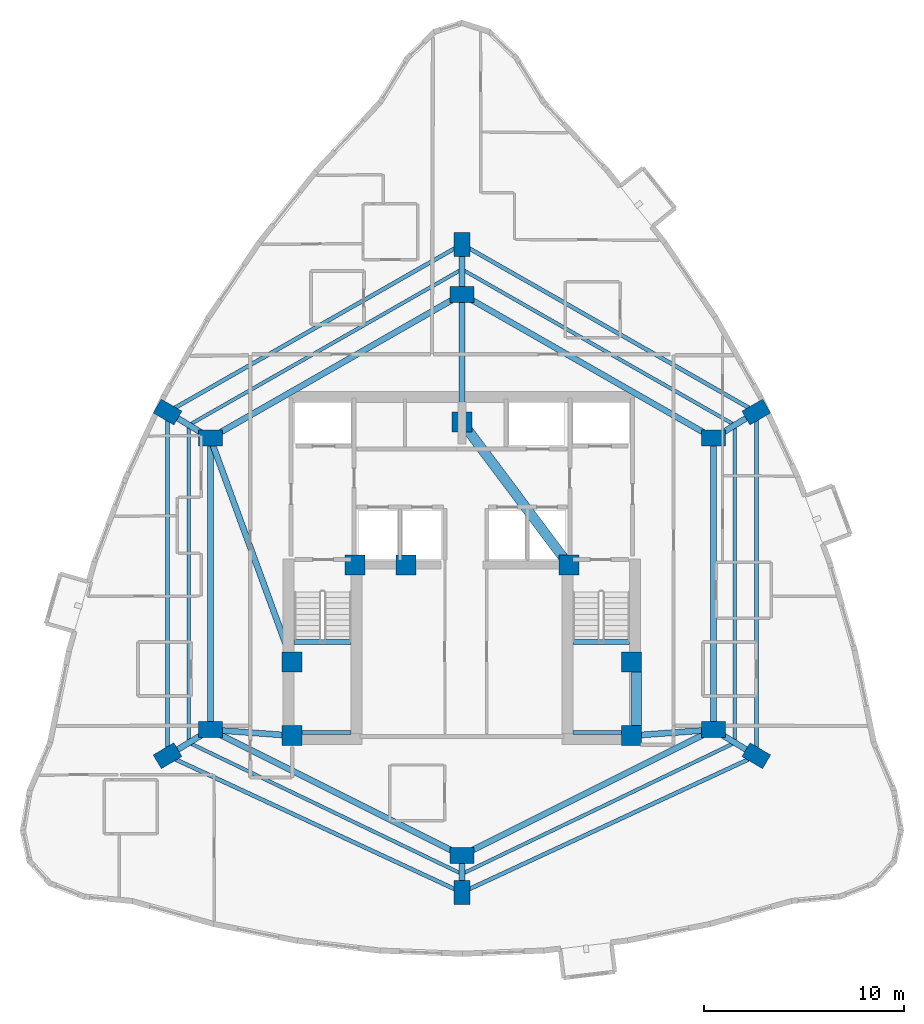
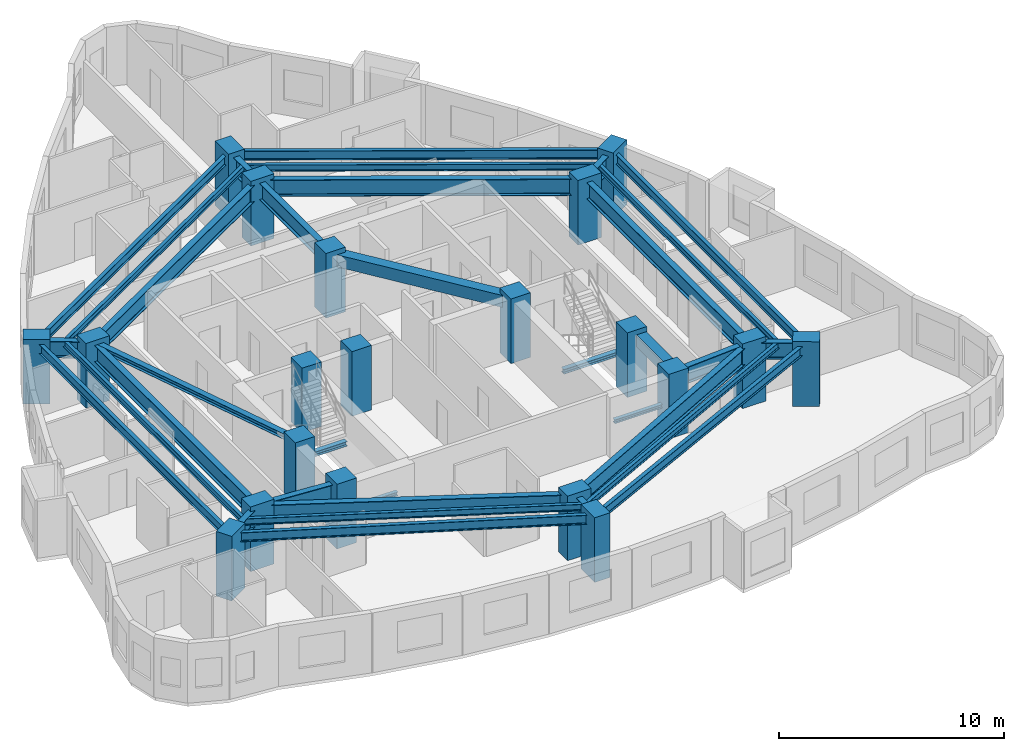
# One storey, part 1 of 14: 34 beams, 20 columns.
"""IFC4 building model written with IfcOpenShell, lengths in metres."""

from ifc_helpers import new_model, si_unit, direction, frame, origin, origin_2d, place, context, subcontext, project, spatial, rectangle, i_section, extrude, material, material_profile, profile_set, type_object, element, save


model = new_model("IFC4")

# Units and contexts
model_context = context("Model", 3, precision=1e-05, world=origin(), true_north=direction((0.0, 1.0)))
body_context = subcontext(model_context, "Body", "Model", "MODEL_VIEW")
ifc_project = project(units=[si_unit("LENGTHUNIT", "METRE"), si_unit("AREAUNIT", "SQUARE_METRE"), si_unit("VOLUMEUNIT", "CUBIC_METRE"), si_unit("PLANEANGLEUNIT", "RADIAN"), si_unit("MASSUNIT", "GRAM", prefix="KILO")], contexts=[model_context])

# Site, building, storey
site_placement = place(None, origin())
site = spatial("IfcSite", under=ifc_project, at=site_placement, CompositionType="ELEMENT")
building_placement = place(site_placement, origin())
building = spatial("IfcBuilding", under=site, at=building_placement, Name="Miruveldt Soraemaru", CompositionType="ELEMENT")
storey_placement = place(building_placement, frame((0.0, 0.0, 117.89990234375)))
storey = spatial("IfcBuildingStorey", under=building, at=storey_placement, Name="L32", CompositionType="ELEMENT", Elevation=117.89990234375)

# Columns
ifc_material_1 = material(Name="Concrete C60/75 (60 MPa)", Category="concrete")
ifc_material_profile_1 = material_profile(ifc_material_1, rectangle(XDim=1.0, YDim=1.0, at=origin_2d()), Name="Concrete C60/75 (60 MPa)", Category="concrete")
ifc_profile_set_1 = profile_set([ifc_material_profile_1], Name="Concrete C60/75 (60 MPa)")
column_type_1 = type_object("IfcColumnType", Name="COL-CORE-1000", PredefinedType="COLUMN", material=ifc_profile_set_1)
for number, where, z_axis, x_axis, name in (
    (1, (35.5, 35.5, 0.0), (0.0, 0.0, 1.0), (1.0, 0.0, 0.0), "L32 Structural Column CC1"),
    (2, (38.64990234375, 44.050048828125, 0.0), (0.0, 0.0, 1.0), (1.0, 0.0, 0.0), "L32 Structural Column CC2"),
    (3, (52.5, 35.5, 0.0), (0.0, 0.0, 1.0), (1.0, 0.0, 0.0), "L32 Structural Column CC3"),
    (4, (52.5, 39.199951171875, 0.0), (0.0, 0.0, 1.0), (1.0, 0.0, 0.0), "L32 Structural Column CC4"),
    (5, (49.35009765625, 44.050048828125, 0.0), (0.0, 0.0, 1.0), (1.0, 0.0, 0.0), "L32 Structural Column CC5"),
    (6, (44.0, 51.199951171875, 0.0), (0.0, 0.0, 1.0), (1.0, 0.0, 0.0), "L32 Structural Column CC6"),
    (7, (35.5, 39.199951171875, 0.0), (0.0, 0.0, 1.0), (1.0, 0.0, 0.0), "L32 Structural Column CC7"),
    (8, (41.199951171875, 44.050048828125, 0.0), (0.0, 0.0, 1.0), (1.0, 0.0, 0.0), "L32 Structural Column CC8"),
):
    element("IfcColumn", number, at=place(storey_placement, frame(where, z_axis=z_axis, x_axis=x_axis)), inside=storey, type_object=column_type_1, Name=name, PredefinedType="COLUMN", context=body_context, shape_type="SweptSolid", body=[
        extrude(rectangle(XDim=1.0, YDim=1.0, at=origin_2d()), origin(), (0.0, 0.0, 1.0), 3.5),
    ])
ifc_material_2 = material(Name="Concrete C70/85 (70 MPa)", Category="concrete")
ifc_material_profile_2 = material_profile(ifc_material_2, rectangle(XDim=1.199951171875, YDim=0.800048828125, at=origin_2d()), Name="Concrete C70/85 (70 MPa)", Category="concrete")
ifc_profile_set_2 = profile_set([ifc_material_profile_2], Name="Concrete C70/85 (70 MPa)")
column_type_2 = type_object("IfcColumnType", Name="COL-TW-Z2", PredefinedType="COLUMN", material=ifc_profile_set_2)
for number, where, z_axis, x_axis, name in (
    (9, (44.0, 57.60009765625, 0.0), (0.0, 0.0, 1.0), (1.0, 0.0, 0.0), "L32 Structural Column IR01"),
    (10, (56.60009765625, 50.39990234375, 0.0), (0.0, 0.0, 1.0), (1.0, 0.0, 0.0), "L32 Structural Column IR02"),
    (11, (56.60009765625, 35.800048828125, 0.0), (0.0, 0.0, 1.0), (1.0, 0.0, 0.0), "L32 Structural Column IR03"),
    (12, (44.0, 29.5, 0.0), (0.0, 0.0, 1.0), (1.0, 0.0, 0.0), "L32 Structural Column IR04"),
    (13, (31.39990234375, 35.800048828125, 0.0), (0.0, 0.0, 1.0), (1.0, 0.0, 0.0), "L32 Structural Column IR05"),
    (14, (31.39990234375, 50.39990234375, 0.0), (0.0, 0.0, 1.0), (1.0, 0.0, 0.0), "L32 Structural Column IR06"),
    (15, (44.0, 60.10595703125, 0.0), (0.0, 0.0, 1.0), (0.0, 1.0, 0.0), "L32 Structural Column Z2P01"),
    (16, (58.739990234375, 51.705078125, 0.0), (0.0, 0.0, 1.0), (0.866025403784, 0.5, 0.0), "L32 Structural Column Z2P02"),
    (17, (58.739990234375, 34.4951171875, 0.0), (0.0, 0.0, 1.0), (-0.860742027004, 0.50904141575, 0.0), "L32 Structural Column Z2P03"),
    (18, (44.0, 27.64697265625, 0.0), (0.0, 0.0, 1.0), (0.0, 1.0, 0.0), "L32 Structural Column Z2P04"),
    (19, (29.260009765625, 34.4951171875, 0.0), (0.0, 0.0, 1.0), (0.860742027004, 0.50904141575, 0.0), "L32 Structural Column Z2P05"),
    (20, (29.260009765625, 51.705078125, 0.0), (0.0, 0.0, 1.0), (-0.866025403784, 0.5, 0.0), "L32 Structural Column Z2P06"),
):
    element("IfcColumn", number, at=place(storey_placement, frame(where, z_axis=z_axis, x_axis=x_axis)), inside=storey, type_object=column_type_2, Name=name, PredefinedType="COLUMN", context=body_context, shape_type="SweptSolid", body=[
        extrude(rectangle(XDim=1.199951171875, YDim=0.800048828125, at=origin_2d()), origin(), (0.0, 0.0, 1.0), 3.5),
    ])

# Beams
ifc_material_3 = material(Name="Steel SM355 (355 MPa)", Category="steel")
ifc_material_profile_3 = material_profile(ifc_material_3, i_section(OverallWidth=0.300048828125, OverallDepth=0.300048828125, WebThickness=0.010009765625, FlangeThickness=0.014892578125, FilletRadius=0.01806640625, at=origin_2d()), Name="Steel SM355 (355 MPa)", Category="steel")
ifc_profile_set_3 = profile_set([ifc_material_profile_3], Name="Steel SM355 (355 MPa)")
beam_type_1 = type_object("IfcBeamType", Name="BM-LNT-H300", PredefinedType="LINTEL", material=ifc_profile_set_3)
beam_1_placement = place(storey_placement, frame((31.39990234375, 50.39990234375, 3.085205078125), z_axis=(0.343770424598, -0.939053723262, 0.0), x_axis=(0.939053723262, 0.343770424598, 0.0)))
element("IfcBeam", 21, at=beam_1_placement, inside=storey, type_object=beam_type_1, Name="L32 West Lobby Lintel", PredefinedType="LINTEL", context=body_context, shape_type="SweptSolid", body=[
    extrude(i_section(OverallWidth=0.300048828125, OverallDepth=0.300048828125, WebThickness=0.010009765625, FlangeThickness=0.014892578125, FilletRadius=0.01806640625, at=origin_2d()), origin(), (0.0, 0.0, 1.0), 11.9267578125),
])
ifc_material_4 = material(Name="Concrete C50/60 (50 MPa)", Category="concrete")
ifc_material_profile_4 = material_profile(ifc_material_4, rectangle(XDim=0.5, YDim=0.64990234375, at=origin_2d()), Name="Concrete C50/60 (50 MPa)", Category="concrete")
ifc_profile_set_4 = profile_set([ifc_material_profile_4], Name="Concrete C50/60 (50 MPa)")
beam_type_2 = type_object("IfcBeamType", Name="BM-RC-500x650", PredefinedType="BEAM", material=ifc_profile_set_4)
beam_2_placement = place(storey_placement, frame((52.72998046875, 35.5, 2.91015625), z_axis=(0.0, 1.0, 0.0), x_axis=(-1.0, 0.0, 0.0)))
element("IfcBeam", 22, at=beam_2_placement, inside=storey, type_object=beam_type_2, Name="L32 Core Tie Beam 3", PredefinedType="BEAM", context=body_context, shape_type="SweptSolid", body=[
    extrude(rectangle(XDim=0.5, YDim=0.64990234375, at=origin_2d()), origin(), (0.0, 0.0, 1.0), 3.699951171875),
])
beam_3_placement = place(storey_placement, frame((49.35009765625, 44.050048828125, 2.91015625), z_axis=(-0.599116023999, 0.800662219533, 0.0), x_axis=(-0.800662219533, -0.599116023999, 0.0)))
element("IfcBeam", 23, at=beam_3_placement, inside=storey, type_object=beam_type_2, Name="L32 Core Tie Beam 5", PredefinedType="BEAM", context=body_context, shape_type="SweptSolid", body=[
    extrude(rectangle(XDim=0.5, YDim=0.64990234375, at=origin_2d()), origin(), (0.0, 0.0, 1.0), 8.929931640625),
])
ifc_material_profile_5 = material_profile(ifc_material_3, i_section(OverallWidth=0.175048828125, OverallDepth=0.35009765625, WebThickness=0.007080078125, FlangeThickness=0.010986328125, FilletRadius=0.013916015625, at=origin_2d()), Name="Steel SM355 (355 MPa)", Category="steel")
ifc_profile_set_5 = profile_set([ifc_material_profile_5], Name="Steel SM355 (355 MPa)")
beam_type_3 = type_object("IfcBeamType", Name="BM-ST-H350", PredefinedType="JOIST", material=ifc_profile_set_5)
beam_4_placement = place(storey_placement, frame((44.0, 58.85302734375, 3.06005859375), z_axis=(0.868539859756, -0.495619321672, 0.0), x_axis=(0.495619321672, 0.868539859756, 0.0)))
element("IfcBeam", 24, at=beam_4_placement, inside=storey, type_object=beam_type_3, Name="L32 Outer Bay Floor Joist 1", PredefinedType="JOIST", context=body_context, shape_type="SweptSolid", body=[
    extrude(i_section(OverallWidth=0.175048828125, OverallDepth=0.35009765625, WebThickness=0.007080078125, FlangeThickness=0.010986328125, FilletRadius=0.013916015625, at=origin_2d()), origin(), (0.0, 0.0, 1.0), 15.739013671875),
])
beam_5_placement = place(storey_placement, frame((57.669921875, 51.052490234375, 3.06005859375), z_axis=(0.0, -1.0, 0.0), x_axis=(1.0, 0.0, 0.0)))
element("IfcBeam", 25, at=beam_5_placement, inside=storey, type_object=beam_type_3, Name="L32 Outer Bay Floor Joist 2", PredefinedType="JOIST", context=body_context, shape_type="SweptSolid", body=[
    extrude(i_section(OverallWidth=0.175048828125, OverallDepth=0.35009765625, WebThickness=0.007080078125, FlangeThickness=0.010986328125, FilletRadius=0.013916015625, at=origin_2d()), origin(), (0.0, 0.0, 1.0), 15.905029296875),
])
for number, where, z_axis, x_axis, name in (
    (26, (57.669921875, 35.1474609375, 3.06005859375), (-0.901203586802, -0.433396002676, 0.0), (0.433396002676, -0.901203586802, 0.0), "L32 Outer Bay Floor Joist 3"),
    (27, (44.0, 28.573486328125, 3.06005859375), (-0.901203586802, 0.433396002676, 0.0), (-0.433396002676, -0.901203586802, 0.0), "L32 Outer Bay Floor Joist 4"),
):
    element("IfcBeam", number, at=place(storey_placement, frame(where, z_axis=z_axis, x_axis=x_axis)), inside=storey, type_object=beam_type_3, Name=name, PredefinedType="JOIST", context=body_context, shape_type="SweptSolid", body=[
        extrude(i_section(OverallWidth=0.175048828125, OverallDepth=0.35009765625, WebThickness=0.007080078125, FlangeThickness=0.010986328125, FilletRadius=0.013916015625, at=origin_2d()), origin(), (0.0, 0.0, 1.0), 15.16845703125),
    ])
beam_6_placement = place(storey_placement, frame((30.330078125, 35.1474609375, 3.06005859375), z_axis=(0.0, 1.0, 0.0), x_axis=(-1.0, 0.0, 0.0)))
element("IfcBeam", 28, at=beam_6_placement, inside=storey, type_object=beam_type_3, Name="L32 Outer Bay Floor Joist 5", PredefinedType="JOIST", context=body_context, shape_type="SweptSolid", body=[
    extrude(i_section(OverallWidth=0.175048828125, OverallDepth=0.35009765625, WebThickness=0.007080078125, FlangeThickness=0.010986328125, FilletRadius=0.013916015625, at=origin_2d()), origin(), (0.0, 0.0, 1.0), 15.905029296875),
])
beam_7_placement = place(storey_placement, frame((30.330078125, 51.052490234375, 3.06005859375), z_axis=(0.868539859756, 0.495619321672, 0.0), x_axis=(-0.495619321672, 0.868539859756, 0.0)))
element("IfcBeam", 29, at=beam_7_placement, inside=storey, type_object=beam_type_3, Name="L32 Outer Bay Floor Joist 6", PredefinedType="JOIST", context=body_context, shape_type="SweptSolid", body=[
    extrude(i_section(OverallWidth=0.175048828125, OverallDepth=0.35009765625, WebThickness=0.007080078125, FlangeThickness=0.010986328125, FilletRadius=0.013916015625, at=origin_2d()), origin(), (0.0, 0.0, 1.0), 15.739013671875),
])
ifc_material_profile_6 = material_profile(ifc_material_3, i_section(OverallWidth=0.199951171875, OverallDepth=0.5, WebThickness=0.010009765625, FlangeThickness=0.01611328125, FilletRadius=0.02001953125, at=origin_2d()), Name="Steel SM355 (355 MPa)", Category="steel")
ifc_profile_set_6 = profile_set([ifc_material_profile_6], Name="Steel SM355 (355 MPa)")
beam_type_4 = type_object("IfcBeamType", Name="BM-ST-H500", PredefinedType="SPANDREL", material=ifc_profile_set_6)
beam_8_placement = place(storey_placement, frame((44.0, 60.10595703125, 2.985107421875), z_axis=(0.86880048516, -0.495162313778, 0.0), x_axis=(0.495162313778, 0.86880048516, 0.0)))
element("IfcBeam", 30, at=beam_8_placement, inside=storey, type_object=beam_type_4, Name="L32 Zone-2 Spandrel Beam 1", PredefinedType="SPANDREL", context=body_context, shape_type="SweptSolid", body=[
    extrude(i_section(OverallWidth=0.199951171875, OverallDepth=0.5, WebThickness=0.010009765625, FlangeThickness=0.01611328125, FilletRadius=0.02001953125, at=origin_2d()), origin(), (0.0, 0.0, 1.0), 16.9658203125),
])
beam_9_placement = place(storey_placement, frame((58.739990234375, 51.705078125, 2.985107421875), z_axis=(0.0, -1.0, 0.0), x_axis=(1.0, 0.0, 0.0)))
element("IfcBeam", 31, at=beam_9_placement, inside=storey, type_object=beam_type_4, Name="L32 Zone-2 Spandrel Beam 2", PredefinedType="SPANDREL", context=body_context, shape_type="SweptSolid", body=[
    extrude(i_section(OverallWidth=0.199951171875, OverallDepth=0.5, WebThickness=0.010009765625, FlangeThickness=0.01611328125, FilletRadius=0.02001953125, at=origin_2d()), origin(), (0.0, 0.0, 1.0), 17.2099609375),
])
for number, where, z_axis, x_axis, name in (
    (32, (58.739990234375, 34.4951171875, 2.985107421875), (-0.906901362829, -0.421342993414, 0.0), (0.421342993414, -0.906901362829, 0.0), "L32 Zone-2 Spandrel Beam 3"),
    (33, (44.0, 27.64697265625, 2.985107421875), (-0.906901362829, 0.421342993414, 0.0), (-0.421342993414, -0.906901362829, 0.0), "L32 Zone-2 Spandrel Beam 4"),
):
    element("IfcBeam", number, at=place(storey_placement, frame(where, z_axis=z_axis, x_axis=x_axis)), inside=storey, type_object=beam_type_4, Name=name, PredefinedType="SPANDREL", context=body_context, shape_type="SweptSolid", body=[
        extrude(i_section(OverallWidth=0.199951171875, OverallDepth=0.5, WebThickness=0.010009765625, FlangeThickness=0.01611328125, FilletRadius=0.02001953125, at=origin_2d()), origin(), (0.0, 0.0, 1.0), 16.253173828125),
    ])
beam_10_placement = place(storey_placement, frame((29.260009765625, 34.4951171875, 2.985107421875), z_axis=(0.0, 1.0, 0.0), x_axis=(-1.0, 0.0, 0.0)))
element("IfcBeam", 34, at=beam_10_placement, inside=storey, type_object=beam_type_4, Name="L32 Zone-2 Spandrel Beam 5", PredefinedType="SPANDREL", context=body_context, shape_type="SweptSolid", body=[
    extrude(i_section(OverallWidth=0.199951171875, OverallDepth=0.5, WebThickness=0.010009765625, FlangeThickness=0.01611328125, FilletRadius=0.02001953125, at=origin_2d()), origin(), (0.0, 0.0, 1.0), 17.2099609375),
])
beam_11_placement = place(storey_placement, frame((29.260009765625, 51.705078125, 2.985107421875), z_axis=(0.86880048516, 0.495162313778, 0.0), x_axis=(-0.495162313778, 0.86880048516, 0.0)))
element("IfcBeam", 35, at=beam_11_placement, inside=storey, type_object=beam_type_4, Name="L32 Zone-2 Spandrel Beam 6", PredefinedType="SPANDREL", context=body_context, shape_type="SweptSolid", body=[
    extrude(i_section(OverallWidth=0.199951171875, OverallDepth=0.5, WebThickness=0.010009765625, FlangeThickness=0.01611328125, FilletRadius=0.02001953125, at=origin_2d()), origin(), (0.0, 0.0, 1.0), 16.9658203125),
])
ifc_material_5 = material(Name="Steel S460 (460 MPa)", Category="steel")
ifc_material_profile_7 = material_profile(ifc_material_5, i_section(OverallWidth=0.300048828125, OverallDepth=0.89990234375, WebThickness=0.01611328125, FlangeThickness=0.028076171875, FilletRadius=0.028076171875, at=origin_2d()), Name="Steel S460 (460 MPa)", Category="steel")
ifc_profile_set_7 = profile_set([ifc_material_profile_7], Name="Steel S460 (460 MPa)")
beam_type_5 = type_object("IfcBeamType", Name="BM-ST-H900", PredefinedType="BEAM", material=ifc_profile_set_7)
beam_12_placement = place(storey_placement, frame((44.0, 57.60009765625, 2.78515625), z_axis=(0.868239001029, -0.496146185203, 0.0), x_axis=(0.496146185203, 0.868239001029, 0.0)))
element("IfcBeam", 36, at=beam_12_placement, inside=storey, type_object=beam_type_5, Name="L32 Inner Ring Girder 1", PredefinedType="BEAM", context=body_context, shape_type="SweptSolid", body=[
    extrude(i_section(OverallWidth=0.300048828125, OverallDepth=0.89990234375, WebThickness=0.01611328125, FlangeThickness=0.028076171875, FilletRadius=0.028076171875, at=origin_2d()), origin(), (0.0, 0.0, 1.0), 14.51220703125),
])
beam_13_placement = place(storey_placement, frame((44.0, 51.199951171875, 2.78515625), z_axis=(0.0, 1.0, 0.0), x_axis=(-1.0, 0.0, 0.0)))
element("IfcBeam", 37, at=beam_13_placement, inside=storey, type_object=beam_type_5, Name="L32 Core-to-Inner Radial Girder 1", PredefinedType="BEAM", context=body_context, shape_type="SweptSolid", body=[
    extrude(i_section(OverallWidth=0.300048828125, OverallDepth=0.89990234375, WebThickness=0.01611328125, FlangeThickness=0.028076171875, FilletRadius=0.028076171875, at=origin_2d()), origin(), (0.0, 0.0, 1.0), 6.400146484375),
])
beam_14_placement = place(storey_placement, frame((56.60009765625, 50.39990234375, 2.78515625), z_axis=(0.0, -1.0, 0.0), x_axis=(1.0, 0.0, 0.0)))
element("IfcBeam", 38, at=beam_14_placement, inside=storey, type_object=beam_type_5, Name="L32 Inner Ring Girder 2", PredefinedType="BEAM", context=body_context, shape_type="SweptSolid", body=[
    extrude(i_section(OverallWidth=0.300048828125, OverallDepth=0.89990234375, WebThickness=0.01611328125, FlangeThickness=0.028076171875, FilletRadius=0.028076171875, at=origin_2d()), origin(), (0.0, 0.0, 1.0), 14.599853515625),
])
beam_15_placement = place(storey_placement, frame((56.60009765625, 35.800048828125, 2.78515625), z_axis=(-0.894427191, -0.4472135955, 0.0), x_axis=(0.4472135955, -0.894427191, 0.0)))
element("IfcBeam", 39, at=beam_15_placement, inside=storey, type_object=beam_type_5, Name="L32 Inner Ring Girder 3", PredefinedType="BEAM", context=body_context, shape_type="SweptSolid", body=[
    extrude(i_section(OverallWidth=0.300048828125, OverallDepth=0.89990234375, WebThickness=0.01611328125, FlangeThickness=0.028076171875, FilletRadius=0.028076171875, at=origin_2d()), origin(), (0.0, 0.0, 1.0), 14.08740234375),
])
beam_16_placement = place(storey_placement, frame((52.5, 35.5, 2.78515625), z_axis=(0.997332985605, 0.072985723431, 0.0), x_axis=(-0.072985723431, 0.997332985605, 0.0)))
element("IfcBeam", 40, at=beam_16_placement, inside=storey, type_object=beam_type_5, Name="L32 Core-to-Inner Radial Girder 3", PredefinedType="BEAM", context=body_context, shape_type="SweptSolid", body=[
    extrude(i_section(OverallWidth=0.300048828125, OverallDepth=0.89990234375, WebThickness=0.01611328125, FlangeThickness=0.028076171875, FilletRadius=0.028076171875, at=origin_2d()), origin(), (0.0, 0.0, 1.0), 4.111083984375),
])
beam_17_placement = place(storey_placement, frame((44.0, 29.5, 2.78515625), z_axis=(-0.894427191, 0.4472135955, 0.0), x_axis=(-0.4472135955, -0.894427191, 0.0)))
element("IfcBeam", 41, at=beam_17_placement, inside=storey, type_object=beam_type_5, Name="L32 Inner Ring Girder 4", PredefinedType="BEAM", context=body_context, shape_type="SweptSolid", body=[
    extrude(i_section(OverallWidth=0.300048828125, OverallDepth=0.89990234375, WebThickness=0.01611328125, FlangeThickness=0.028076171875, FilletRadius=0.028076171875, at=origin_2d()), origin(), (0.0, 0.0, 1.0), 14.08740234375),
])
beam_18_placement = place(storey_placement, frame((31.39990234375, 35.800048828125, 2.78515625), z_axis=(0.0, 1.0, 0.0), x_axis=(-1.0, 0.0, 0.0)))
element("IfcBeam", 42, at=beam_18_placement, inside=storey, type_object=beam_type_5, Name="L32 Inner Ring Girder 5", PredefinedType="BEAM", context=body_context, shape_type="SweptSolid", body=[
    extrude(i_section(OverallWidth=0.300048828125, OverallDepth=0.89990234375, WebThickness=0.01611328125, FlangeThickness=0.028076171875, FilletRadius=0.028076171875, at=origin_2d()), origin(), (0.0, 0.0, 1.0), 14.599853515625),
])
beam_19_placement = place(storey_placement, frame((35.5, 35.5, 2.78515625), z_axis=(-0.997332985605, 0.072985723431, 0.0), x_axis=(-0.072985723431, -0.997332985605, 0.0)))
element("IfcBeam", 43, at=beam_19_placement, inside=storey, type_object=beam_type_5, Name="L32 Core-to-Inner Radial Girder 5", PredefinedType="BEAM", context=body_context, shape_type="SweptSolid", body=[
    extrude(i_section(OverallWidth=0.300048828125, OverallDepth=0.89990234375, WebThickness=0.01611328125, FlangeThickness=0.028076171875, FilletRadius=0.028076171875, at=origin_2d()), origin(), (0.0, 0.0, 1.0), 4.111083984375),
])
beam_20_placement = place(storey_placement, frame((31.39990234375, 50.39990234375, 2.78515625), z_axis=(0.868239001029, 0.496146185203, 0.0), x_axis=(-0.496146185203, 0.868239001029, 0.0)))
element("IfcBeam", 44, at=beam_20_placement, inside=storey, type_object=beam_type_5, Name="L32 Inner Ring Girder 6", PredefinedType="BEAM", context=body_context, shape_type="SweptSolid", body=[
    extrude(i_section(OverallWidth=0.300048828125, OverallDepth=0.89990234375, WebThickness=0.01611328125, FlangeThickness=0.028076171875, FilletRadius=0.028076171875, at=origin_2d()), origin(), (0.0, 0.0, 1.0), 14.51220703125),
])
beam_21_placement = place(storey_placement, frame((44.0, 57.60009765625, 2.78515625), z_axis=(0.0, 1.0, 0.0), x_axis=(-1.0, 0.0, 0.0)))
element("IfcBeam", 45, at=beam_21_placement, inside=storey, type_object=beam_type_5, Name="L32 Zone-2 Radial Girder 1", PredefinedType="BEAM", context=body_context, shape_type="SweptSolid", body=[
    extrude(i_section(OverallWidth=0.300048828125, OverallDepth=0.89990234375, WebThickness=0.01611328125, FlangeThickness=0.028076171875, FilletRadius=0.028076171875, at=origin_2d()), origin(), (0.0, 0.0, 1.0), 2.505859375),
])
beam_22_placement = place(storey_placement, frame((56.60009765625, 50.39990234375, 2.78515625), z_axis=(0.85373175529, 0.520713059188, 0.0), x_axis=(-0.520713059188, 0.85373175529, 0.0)))
element("IfcBeam", 46, at=beam_22_placement, inside=storey, type_object=beam_type_5, Name="L32 Zone-2 Radial Girder 2", PredefinedType="BEAM", context=body_context, shape_type="SweptSolid", body=[
    extrude(i_section(OverallWidth=0.300048828125, OverallDepth=0.89990234375, WebThickness=0.01611328125, FlangeThickness=0.028076171875, FilletRadius=0.028076171875, at=origin_2d()), origin(), (0.0, 0.0, 1.0), 2.506591796875),
])
beam_23_placement = place(storey_placement, frame((56.60009765625, 35.800048828125, 2.78515625), z_axis=(0.853775054686, -0.5206420613, 0.0), x_axis=(0.5206420613, 0.853775054686, 0.0)))
element("IfcBeam", 47, at=beam_23_placement, inside=storey, type_object=beam_type_5, Name="L32 Zone-2 Radial Girder 3", PredefinedType="BEAM", context=body_context, shape_type="SweptSolid", body=[
    extrude(i_section(OverallWidth=0.300048828125, OverallDepth=0.89990234375, WebThickness=0.01611328125, FlangeThickness=0.028076171875, FilletRadius=0.028076171875, at=origin_2d()), origin(), (0.0, 0.0, 1.0), 2.50634765625),
])
beam_24_placement = place(storey_placement, frame((44.0, 29.5, 2.78515625), z_axis=(0.0, -1.0, 0.0), x_axis=(1.0, 0.0, 0.0)))
element("IfcBeam", 48, at=beam_24_placement, inside=storey, type_object=beam_type_5, Name="L32 Zone-2 Radial Girder 4", PredefinedType="BEAM", context=body_context, shape_type="SweptSolid", body=[
    extrude(i_section(OverallWidth=0.300048828125, OverallDepth=0.89990234375, WebThickness=0.01611328125, FlangeThickness=0.028076171875, FilletRadius=0.028076171875, at=origin_2d()), origin(), (0.0, 0.0, 1.0), 1.85302734375),
])
beam_25_placement = place(storey_placement, frame((31.39990234375, 35.800048828125, 2.78515625), z_axis=(-0.853775054686, -0.5206420613, 0.0), x_axis=(0.5206420613, -0.853775054686, 0.0)))
element("IfcBeam", 49, at=beam_25_placement, inside=storey, type_object=beam_type_5, Name="L32 Zone-2 Radial Girder 5", PredefinedType="BEAM", context=body_context, shape_type="SweptSolid", body=[
    extrude(i_section(OverallWidth=0.300048828125, OverallDepth=0.89990234375, WebThickness=0.01611328125, FlangeThickness=0.028076171875, FilletRadius=0.028076171875, at=origin_2d()), origin(), (0.0, 0.0, 1.0), 2.50634765625),
])
beam_26_placement = place(storey_placement, frame((31.39990234375, 50.39990234375, 2.78515625), z_axis=(-0.85373175529, 0.520713059188, 0.0), x_axis=(-0.520713059188, -0.85373175529, 0.0)))
element("IfcBeam", 50, at=beam_26_placement, inside=storey, type_object=beam_type_5, Name="L32 Zone-2 Radial Girder 6", PredefinedType="BEAM", context=body_context, shape_type="SweptSolid", body=[
    extrude(i_section(OverallWidth=0.300048828125, OverallDepth=0.89990234375, WebThickness=0.01611328125, FlangeThickness=0.028076171875, FilletRadius=0.028076171875, at=origin_2d()), origin(), (0.0, 0.0, 1.0), 2.506591796875),
])
ifc_material_profile_8 = material_profile(ifc_material_3, i_section(OverallWidth=0.199951171875, OverallDepth=0.199951171875, WebThickness=0.008056640625, FlangeThickness=0.011962890625, FilletRadius=0.012939453125, at=origin_2d()), Name="Steel SM355 (355 MPa)", Category="steel")
ifc_profile_set_8 = profile_set([ifc_material_profile_8], Name="Steel SM355 (355 MPa)")
beam_type_6 = type_object("IfcBeamType", Name="BM-ST-LND200", PredefinedType="BEAM", material=ifc_profile_set_8)
for number, where, z_axis, x_axis, name in (
    (51, (35.60009765625, 35.64990234375, 1.4501953125), (1.0, 0.0, 0.0), (0.0, 1.0, 0.0), "L32 ST1 Landing End Beam 1B"),
    (52, (49.550048828125, 35.64990234375, 1.4501953125), (1.0, 0.0, 0.0), (0.0, 1.0, 0.0), "L32 ST2 Landing End Beam 1B"),
):
    element("IfcBeam", number, at=place(storey_placement, frame(where, z_axis=z_axis, x_axis=x_axis)), inside=storey, type_object=beam_type_6, Name=name, PredefinedType="BEAM", context=body_context, shape_type="SweptSolid", body=[
        extrude(i_section(OverallWidth=0.199951171875, OverallDepth=0.199951171875, WebThickness=0.008056640625, FlangeThickness=0.011962890625, FilletRadius=0.012939453125, at=origin_2d()), origin(), (0.0, 0.0, 1.0), 2.849853515625),
    ])
ifc_material_profile_9 = material_profile(ifc_material_3, i_section(OverallWidth=0.25, OverallDepth=0.25, WebThickness=0.009033203125, FlangeThickness=0.013916015625, FilletRadius=0.01611328125, at=origin_2d()), Name="Steel SM355 (355 MPa)", Category="steel")
ifc_profile_set_9 = profile_set([ifc_material_profile_9], Name="Steel SM355 (355 MPa)")
beam_type_7 = type_object("IfcBeamType", Name="BM-ST-LND250", PredefinedType="BEAM", material=ifc_profile_set_9)
for number, where, z_axis, x_axis, name in (
    (53, (35.60009765625, 40.179931640625, 1.425048828125), (1.0, 0.0, 0.0), (0.0, 1.0, 0.0), "L32 ST1 Landing Support Beam 1A"),
    (54, (49.550048828125, 40.179931640625, 1.425048828125), (1.0, 0.0, 0.0), (0.0, 1.0, 0.0), "L32 ST2 Landing Support Beam 1A"),
):
    element("IfcBeam", number, at=place(storey_placement, frame(where, z_axis=z_axis, x_axis=x_axis)), inside=storey, type_object=beam_type_7, Name=name, PredefinedType="BEAM", context=body_context, shape_type="SweptSolid", body=[
        extrude(i_section(OverallWidth=0.25, OverallDepth=0.25, WebThickness=0.009033203125, FlangeThickness=0.013916015625, FilletRadius=0.01611328125, at=origin_2d()), origin(), (0.0, 0.0, 1.0), 2.849853515625),
    ])

save(model, "model.ifc")
